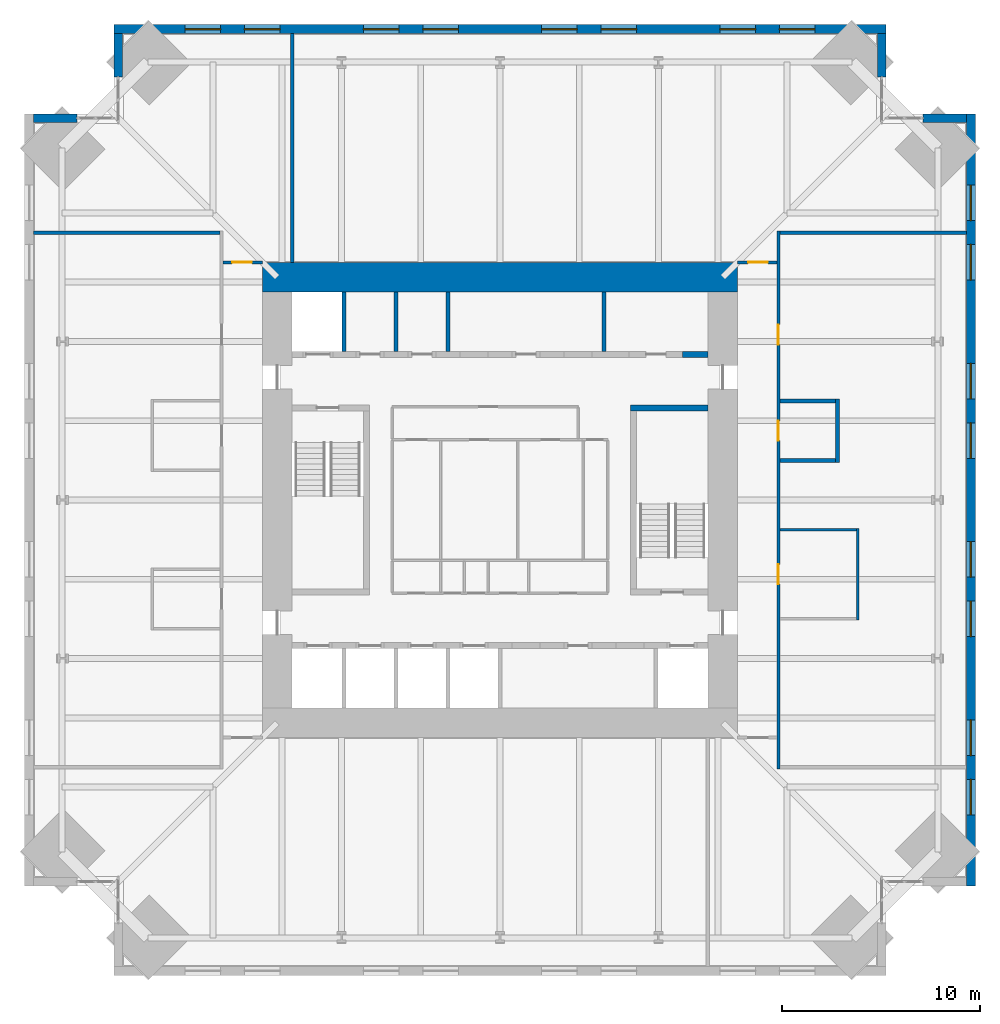
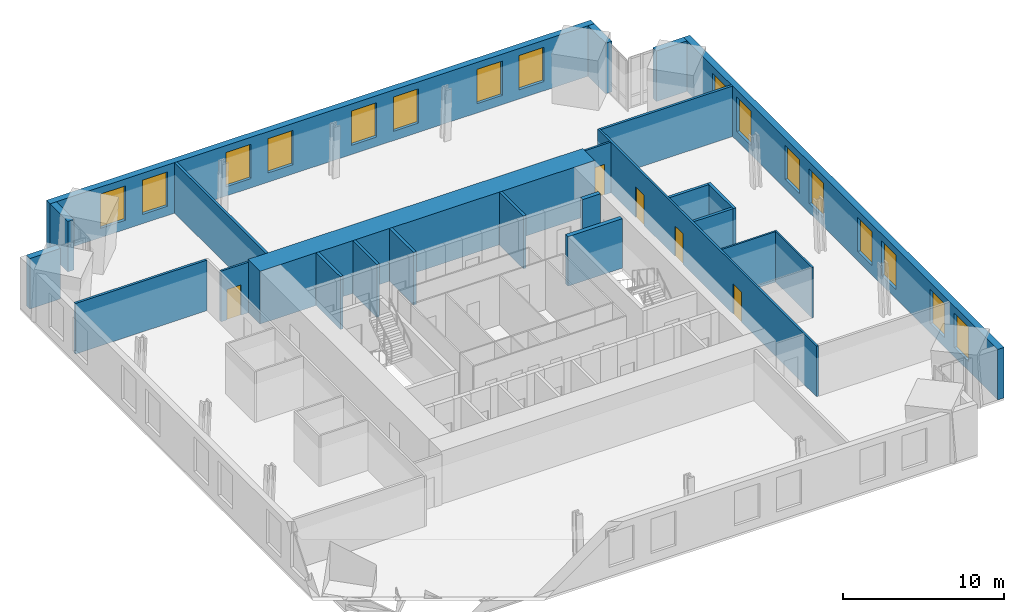
# One storey, part 13 of 15: 24 walls, 16 windows, 5 doors, 21 openings.
"""IFC4 building model written with IfcOpenShell, lengths in metres."""

from ifc_helpers import new_model, si_unit, direction, frame, frame_2d, origin, place, context, subcontext, project, spatial, rectangle, extrude, material, layer, layer_set, type_object, element, fill, save


model = new_model("IFC4")

# Units and contexts
model_context = context("Model", 3, precision=1e-05, world=origin(), true_north=direction((0.0, 1.0)))
body_context = subcontext(model_context, "Body", "Model", "MODEL_VIEW")
ifc_project = project(units=[si_unit("LENGTHUNIT", "METRE"), si_unit("AREAUNIT", "SQUARE_METRE"), si_unit("VOLUMEUNIT", "CUBIC_METRE"), si_unit("PLANEANGLEUNIT", "RADIAN"), si_unit("MASSUNIT", "GRAM", prefix="KILO")], contexts=[model_context])

# Site, building, storey
site_placement = place(None, origin())
site = spatial("IfcSite", under=ifc_project, at=site_placement, CompositionType="ELEMENT")
building_placement = place(site_placement, origin())
building = spatial("IfcBuilding", under=site, at=building_placement, Name="Peilmerk Tower", CompositionType="ELEMENT")
storey_placement = place(building_placement, frame((0.0, 0.0, 217.800048828125)))
storey = spatial("IfcBuildingStorey", under=building, at=storey_placement, Name="L47", CompositionType="ELEMENT", Elevation=217.800048828125)

# Wall, openings, windows
ifc_material_1 = material(Name="Precast concrete C45/55, board-marked finish", Category="concrete")
ifc_layer_1 = layer(ifc_material_1, 0.449951171875)
ifc_layer_set_1 = layer_set([ifc_layer_1], Name="Precast concrete C45/55, board-marked finish")
wall_type_1 = type_object("IfcWallType", Name="EW1 450 precast concrete facade wall, board-marked", PredefinedType="SOLIDWALL", material=ifc_layer_set_1)
wall_1_placement = place(storey_placement, frame((19.5, 23.77490234375, 0.0), z_axis=(0.0, 0.0, 1.0), x_axis=(-1.0, 0.0, 0.0)))
wall_1 = element("IfcWall", 1, at=wall_1_placement, inside=storey, type_object=wall_type_1, Name="Facade wall N L47", PredefinedType="SOLIDWALL", context=body_context, shape_type="SweptSolid", body=[
    extrude(rectangle(XDim=39.0, YDim=0.449951171875, at=frame_2d((19.5, 0.0))), origin(), (0.0, 0.0, 1.0), 3.829833984375),
])
opening_1_placement = place(wall_1_placement, frame((3.60009765625, 0.0, 0.699951171875)))
opening_1 = element("IfcOpeningElement", 2, at=opening_1_placement, cuts=wall_1, Name="Opening W1", PredefinedType="OPENING", context=body_context, shape_type="SweptSolid", body=[
    extrude(rectangle(XDim=1.800048828125, YDim=2.60009765625, at=frame_2d((0.89990234375, 1.300048828125))), frame((0.0, 0.23486328125, 0.0), z_axis=(0.0, -1.0, 0.0), x_axis=(1.0, 0.0, 0.0)), (0.0, 0.0, 1.0), 0.469970703125),
])
opening_2_placement = place(wall_1_placement, frame((6.60009765625, 0.0, 0.699951171875)))
opening_2 = element("IfcOpeningElement", 3, at=opening_2_placement, cuts=wall_1, Name="Opening W1", PredefinedType="OPENING", context=body_context, shape_type="SweptSolid", body=[
    extrude(rectangle(XDim=1.800048828125, YDim=2.60009765625, at=frame_2d((0.89990234375, 1.300048828125))), frame((0.0, 0.23486328125, 0.0), z_axis=(0.0, -1.0, 0.0), x_axis=(1.0, 0.0, 0.0)), (0.0, 0.0, 1.0), 0.469970703125),
])
opening_3_placement = place(wall_1_placement, frame((12.60009765625, 0.0, 0.699951171875)))
opening_3 = element("IfcOpeningElement", 4, at=opening_3_placement, cuts=wall_1, Name="Opening W1", PredefinedType="OPENING", context=body_context, shape_type="SweptSolid", body=[
    extrude(rectangle(XDim=1.800048828125, YDim=2.60009765625, at=frame_2d((0.89990234375, 1.300048828125))), frame((0.0, 0.23486328125, 0.0), z_axis=(0.0, -1.0, 0.0), x_axis=(1.0, 0.0, 0.0)), (0.0, 0.0, 1.0), 0.469970703125),
])
opening_4_placement = place(wall_1_placement, frame((15.60009765625, 0.0, 0.699951171875)))
opening_4 = element("IfcOpeningElement", 5, at=opening_4_placement, cuts=wall_1, Name="Opening W1", PredefinedType="OPENING", context=body_context, shape_type="SweptSolid", body=[
    extrude(rectangle(XDim=1.800048828125, YDim=2.60009765625, at=frame_2d((0.89990234375, 1.300048828125))), frame((0.0, 0.23486328125, 0.0), z_axis=(0.0, -1.0, 0.0), x_axis=(1.0, 0.0, 0.0)), (0.0, 0.0, 1.0), 0.469970703125),
])
opening_5_placement = place(wall_1_placement, frame((21.60009765625, 0.0, 0.699951171875)))
opening_5 = element("IfcOpeningElement", 6, at=opening_5_placement, cuts=wall_1, Name="Opening W1", PredefinedType="OPENING", context=body_context, shape_type="SweptSolid", body=[
    extrude(rectangle(XDim=1.800048828125, YDim=2.60009765625, at=frame_2d((0.89990234375, 1.300048828125))), frame((0.0, 0.23486328125, 0.0), z_axis=(0.0, -1.0, 0.0), x_axis=(1.0, 0.0, 0.0)), (0.0, 0.0, 1.0), 0.469970703125),
])
opening_6_placement = place(wall_1_placement, frame((24.60009765625, 0.0, 0.699951171875)))
opening_6 = element("IfcOpeningElement", 7, at=opening_6_placement, cuts=wall_1, Name="Opening W1", PredefinedType="OPENING", context=body_context, shape_type="SweptSolid", body=[
    extrude(rectangle(XDim=1.800048828125, YDim=2.60009765625, at=frame_2d((0.89990234375, 1.300048828125))), frame((0.0, 0.23486328125, 0.0), z_axis=(0.0, -1.0, 0.0), x_axis=(1.0, 0.0, 0.0)), (0.0, 0.0, 1.0), 0.469970703125),
])
opening_7_placement = place(wall_1_placement, frame((30.60009765625, 0.0, 0.699951171875)))
opening_7 = element("IfcOpeningElement", 8, at=opening_7_placement, cuts=wall_1, Name="Opening W1", PredefinedType="OPENING", context=body_context, shape_type="SweptSolid", body=[
    extrude(rectangle(XDim=1.800048828125, YDim=2.60009765625, at=frame_2d((0.89990234375, 1.300048828125))), frame((0.0, 0.23486328125, 0.0), z_axis=(0.0, -1.0, 0.0), x_axis=(1.0, 0.0, 0.0)), (0.0, 0.0, 1.0), 0.469970703125),
])
opening_8_placement = place(wall_1_placement, frame((33.60009765625, 0.0, 0.699951171875)))
opening_8 = element("IfcOpeningElement", 9, at=opening_8_placement, cuts=wall_1, Name="Opening W1", PredefinedType="OPENING", context=body_context, shape_type="SweptSolid", body=[
    extrude(rectangle(XDim=1.800048828125, YDim=2.60009765625, at=frame_2d((0.89990234375, 1.300048828125))), frame((0.0, 0.23486328125, 0.0), z_axis=(0.0, -1.0, 0.0), x_axis=(1.0, 0.0, 0.0)), (0.0, 0.0, 1.0), 0.469970703125),
])
ifc_material_2 = material(Name="Aluminium frame, clear double glazing", Category="aluminium")
window_type = type_object("IfcWindowType", Name="W1 1800x2600 office window", PartitioningType="SINGLE_PANEL", PredefinedType="WINDOW", material=ifc_material_2)
window_1_placement = place(opening_1_placement, origin())
window_1 = element("IfcWindow", 10, at=window_1_placement, inside=storey, type_object=window_type, Name="Window W1 L47", OverallHeight=2.60009765625, OverallWidth=1.800048828125, PartitioningType="SINGLE_PANEL", PredefinedType="WINDOW", context=body_context, shape_type="SweptSolid", body=[
    extrude(rectangle(XDim=1.800048828125, YDim=2.60009765625, at=frame_2d((0.89990234375, 1.300048828125))), frame((0.0, 0.030029296875, 0.0), z_axis=(0.0, -1.0, 0.0), x_axis=(1.0, 0.0, 0.0)), (0.0, 0.0, 1.0), 0.06005859375),
])
fill(opening_1, window_1)
window_2_placement = place(opening_2_placement, origin())
window_2 = element("IfcWindow", 11, at=window_2_placement, inside=storey, type_object=window_type, Name="Window W1 L47", OverallHeight=2.60009765625, OverallWidth=1.800048828125, PartitioningType="SINGLE_PANEL", PredefinedType="WINDOW", context=body_context, shape_type="SweptSolid", body=[
    extrude(rectangle(XDim=1.800048828125, YDim=2.60009765625, at=frame_2d((0.89990234375, 1.300048828125))), frame((0.0, 0.030029296875, 0.0), z_axis=(0.0, -1.0, 0.0), x_axis=(1.0, 0.0, 0.0)), (0.0, 0.0, 1.0), 0.06005859375),
])
fill(opening_2, window_2)
window_3_placement = place(opening_3_placement, origin())
window_3 = element("IfcWindow", 12, at=window_3_placement, inside=storey, type_object=window_type, Name="Window W1 L47", OverallHeight=2.60009765625, OverallWidth=1.800048828125, PartitioningType="SINGLE_PANEL", PredefinedType="WINDOW", context=body_context, shape_type="SweptSolid", body=[
    extrude(rectangle(XDim=1.800048828125, YDim=2.60009765625, at=frame_2d((0.89990234375, 1.300048828125))), frame((0.0, 0.030029296875, 0.0), z_axis=(0.0, -1.0, 0.0), x_axis=(1.0, 0.0, 0.0)), (0.0, 0.0, 1.0), 0.06005859375),
])
fill(opening_3, window_3)
window_4_placement = place(opening_4_placement, origin())
window_4 = element("IfcWindow", 13, at=window_4_placement, inside=storey, type_object=window_type, Name="Window W1 L47", OverallHeight=2.60009765625, OverallWidth=1.800048828125, PartitioningType="SINGLE_PANEL", PredefinedType="WINDOW", context=body_context, shape_type="SweptSolid", body=[
    extrude(rectangle(XDim=1.800048828125, YDim=2.60009765625, at=frame_2d((0.89990234375, 1.300048828125))), frame((0.0, 0.030029296875, 0.0), z_axis=(0.0, -1.0, 0.0), x_axis=(1.0, 0.0, 0.0)), (0.0, 0.0, 1.0), 0.06005859375),
])
fill(opening_4, window_4)
window_5_placement = place(opening_5_placement, origin())
window_5 = element("IfcWindow", 14, at=window_5_placement, inside=storey, type_object=window_type, Name="Window W1 L47", OverallHeight=2.60009765625, OverallWidth=1.800048828125, PartitioningType="SINGLE_PANEL", PredefinedType="WINDOW", context=body_context, shape_type="SweptSolid", body=[
    extrude(rectangle(XDim=1.800048828125, YDim=2.60009765625, at=frame_2d((0.89990234375, 1.300048828125))), frame((0.0, 0.030029296875, 0.0), z_axis=(0.0, -1.0, 0.0), x_axis=(1.0, 0.0, 0.0)), (0.0, 0.0, 1.0), 0.06005859375),
])
fill(opening_5, window_5)
window_6_placement = place(opening_6_placement, origin())
window_6 = element("IfcWindow", 15, at=window_6_placement, inside=storey, type_object=window_type, Name="Window W1 L47", OverallHeight=2.60009765625, OverallWidth=1.800048828125, PartitioningType="SINGLE_PANEL", PredefinedType="WINDOW", context=body_context, shape_type="SweptSolid", body=[
    extrude(rectangle(XDim=1.800048828125, YDim=2.60009765625, at=frame_2d((0.89990234375, 1.300048828125))), frame((0.0, 0.030029296875, 0.0), z_axis=(0.0, -1.0, 0.0), x_axis=(1.0, 0.0, 0.0)), (0.0, 0.0, 1.0), 0.06005859375),
])
fill(opening_6, window_6)
window_7_placement = place(opening_7_placement, origin())
window_7 = element("IfcWindow", 16, at=window_7_placement, inside=storey, type_object=window_type, Name="Window W1 L47", OverallHeight=2.60009765625, OverallWidth=1.800048828125, PartitioningType="SINGLE_PANEL", PredefinedType="WINDOW", context=body_context, shape_type="SweptSolid", body=[
    extrude(rectangle(XDim=1.800048828125, YDim=2.60009765625, at=frame_2d((0.89990234375, 1.300048828125))), frame((0.0, 0.030029296875, 0.0), z_axis=(0.0, -1.0, 0.0), x_axis=(1.0, 0.0, 0.0)), (0.0, 0.0, 1.0), 0.06005859375),
])
fill(opening_7, window_7)
window_8_placement = place(opening_8_placement, origin())
window_8 = element("IfcWindow", 17, at=window_8_placement, inside=storey, type_object=window_type, Name="Window W1 L47", OverallHeight=2.60009765625, OverallWidth=1.800048828125, PartitioningType="SINGLE_PANEL", PredefinedType="WINDOW", context=body_context, shape_type="SweptSolid", body=[
    extrude(rectangle(XDim=1.800048828125, YDim=2.60009765625, at=frame_2d((0.89990234375, 1.300048828125))), frame((0.0, 0.030029296875, 0.0), z_axis=(0.0, -1.0, 0.0), x_axis=(1.0, 0.0, 0.0)), (0.0, 0.0, 1.0), 0.06005859375),
])
fill(opening_8, window_8)

wall_2_placement = place(storey_placement, frame((23.77490234375, -19.5, 0.0), z_axis=(0.0, 0.0, 1.0), x_axis=(0.0, 1.0, 0.0)))
wall_2 = element("IfcWall", 18, at=wall_2_placement, inside=storey, type_object=wall_type_1, Name="Facade wall E L47", PredefinedType="SOLIDWALL", context=body_context, shape_type="SweptSolid", body=[
    extrude(rectangle(XDim=39.0, YDim=0.449951171875, at=frame_2d((19.5, 0.0))), origin(), (0.0, 0.0, 1.0), 3.829833984375),
])
opening_9_placement = place(wall_2_placement, frame((3.60009765625, 0.0, 0.699951171875)))
opening_9 = element("IfcOpeningElement", 19, at=opening_9_placement, cuts=wall_2, Name="Opening W1", PredefinedType="OPENING", context=body_context, shape_type="SweptSolid", body=[
    extrude(rectangle(XDim=1.800048828125, YDim=2.60009765625, at=frame_2d((0.89990234375, 1.300048828125))), frame((0.0, 0.23486328125, 0.0), z_axis=(0.0, -1.0, 0.0), x_axis=(1.0, 0.0, 0.0)), (0.0, 0.0, 1.0), 0.469970703125),
])
opening_10_placement = place(wall_2_placement, frame((6.60009765625, 0.0, 0.699951171875)))
opening_10 = element("IfcOpeningElement", 20, at=opening_10_placement, cuts=wall_2, Name="Opening W1", PredefinedType="OPENING", context=body_context, shape_type="SweptSolid", body=[
    extrude(rectangle(XDim=1.800048828125, YDim=2.60009765625, at=frame_2d((0.89990234375, 1.300048828125))), frame((0.0, 0.23486328125, 0.0), z_axis=(0.0, -1.0, 0.0), x_axis=(1.0, 0.0, 0.0)), (0.0, 0.0, 1.0), 0.469970703125),
])
opening_11_placement = place(wall_2_placement, frame((12.60009765625, 0.0, 0.699951171875)))
opening_11 = element("IfcOpeningElement", 21, at=opening_11_placement, cuts=wall_2, Name="Opening W1", PredefinedType="OPENING", context=body_context, shape_type="SweptSolid", body=[
    extrude(rectangle(XDim=1.800048828125, YDim=2.60009765625, at=frame_2d((0.89990234375, 1.300048828125))), frame((0.0, 0.23486328125, 0.0), z_axis=(0.0, -1.0, 0.0), x_axis=(1.0, 0.0, 0.0)), (0.0, 0.0, 1.0), 0.469970703125),
])
opening_12_placement = place(wall_2_placement, frame((15.60009765625, 0.0, 0.699951171875)))
opening_12 = element("IfcOpeningElement", 22, at=opening_12_placement, cuts=wall_2, Name="Opening W1", PredefinedType="OPENING", context=body_context, shape_type="SweptSolid", body=[
    extrude(rectangle(XDim=1.800048828125, YDim=2.60009765625, at=frame_2d((0.89990234375, 1.300048828125))), frame((0.0, 0.23486328125, 0.0), z_axis=(0.0, -1.0, 0.0), x_axis=(1.0, 0.0, 0.0)), (0.0, 0.0, 1.0), 0.469970703125),
])
opening_13_placement = place(wall_2_placement, frame((21.60009765625, 0.0, 0.699951171875)))
opening_13 = element("IfcOpeningElement", 23, at=opening_13_placement, cuts=wall_2, Name="Opening W1", PredefinedType="OPENING", context=body_context, shape_type="SweptSolid", body=[
    extrude(rectangle(XDim=1.800048828125, YDim=2.60009765625, at=frame_2d((0.89990234375, 1.300048828125))), frame((0.0, 0.23486328125, 0.0), z_axis=(0.0, -1.0, 0.0), x_axis=(1.0, 0.0, 0.0)), (0.0, 0.0, 1.0), 0.469970703125),
])
opening_14_placement = place(wall_2_placement, frame((24.60009765625, 0.0, 0.699951171875)))
opening_14 = element("IfcOpeningElement", 24, at=opening_14_placement, cuts=wall_2, Name="Opening W1", PredefinedType="OPENING", context=body_context, shape_type="SweptSolid", body=[
    extrude(rectangle(XDim=1.800048828125, YDim=2.60009765625, at=frame_2d((0.89990234375, 1.300048828125))), frame((0.0, 0.23486328125, 0.0), z_axis=(0.0, -1.0, 0.0), x_axis=(1.0, 0.0, 0.0)), (0.0, 0.0, 1.0), 0.469970703125),
])
opening_15_placement = place(wall_2_placement, frame((30.60009765625, 0.0, 0.699951171875)))
opening_15 = element("IfcOpeningElement", 25, at=opening_15_placement, cuts=wall_2, Name="Opening W1", PredefinedType="OPENING", context=body_context, shape_type="SweptSolid", body=[
    extrude(rectangle(XDim=1.800048828125, YDim=2.60009765625, at=frame_2d((0.89990234375, 1.300048828125))), frame((0.0, 0.23486328125, 0.0), z_axis=(0.0, -1.0, 0.0), x_axis=(1.0, 0.0, 0.0)), (0.0, 0.0, 1.0), 0.469970703125),
])
opening_16_placement = place(wall_2_placement, frame((33.60009765625, 0.0, 0.699951171875)))
opening_16 = element("IfcOpeningElement", 26, at=opening_16_placement, cuts=wall_2, Name="Opening W1", PredefinedType="OPENING", context=body_context, shape_type="SweptSolid", body=[
    extrude(rectangle(XDim=1.800048828125, YDim=2.60009765625, at=frame_2d((0.89990234375, 1.300048828125))), frame((0.0, 0.23486328125, 0.0), z_axis=(0.0, -1.0, 0.0), x_axis=(1.0, 0.0, 0.0)), (0.0, 0.0, 1.0), 0.469970703125),
])
window_9_placement = place(opening_9_placement, origin())
window_9 = element("IfcWindow", 27, at=window_9_placement, inside=storey, type_object=window_type, Name="Window W1 L47", OverallHeight=2.60009765625, OverallWidth=1.800048828125, PartitioningType="SINGLE_PANEL", PredefinedType="WINDOW", context=body_context, shape_type="SweptSolid", body=[
    extrude(rectangle(XDim=1.800048828125, YDim=2.60009765625, at=frame_2d((0.89990234375, 1.300048828125))), frame((0.0, 0.030029296875, 0.0), z_axis=(0.0, -1.0, 0.0), x_axis=(1.0, 0.0, 0.0)), (0.0, 0.0, 1.0), 0.06005859375),
])
fill(opening_9, window_9)
window_10_placement = place(opening_10_placement, origin())
window_10 = element("IfcWindow", 28, at=window_10_placement, inside=storey, type_object=window_type, Name="Window W1 L47", OverallHeight=2.60009765625, OverallWidth=1.800048828125, PartitioningType="SINGLE_PANEL", PredefinedType="WINDOW", context=body_context, shape_type="SweptSolid", body=[
    extrude(rectangle(XDim=1.800048828125, YDim=2.60009765625, at=frame_2d((0.89990234375, 1.300048828125))), frame((0.0, 0.030029296875, 0.0), z_axis=(0.0, -1.0, 0.0), x_axis=(1.0, 0.0, 0.0)), (0.0, 0.0, 1.0), 0.06005859375),
])
fill(opening_10, window_10)
window_11_placement = place(opening_11_placement, origin())
window_11 = element("IfcWindow", 29, at=window_11_placement, inside=storey, type_object=window_type, Name="Window W1 L47", OverallHeight=2.60009765625, OverallWidth=1.800048828125, PartitioningType="SINGLE_PANEL", PredefinedType="WINDOW", context=body_context, shape_type="SweptSolid", body=[
    extrude(rectangle(XDim=1.800048828125, YDim=2.60009765625, at=frame_2d((0.89990234375, 1.300048828125))), frame((0.0, 0.030029296875, 0.0), z_axis=(0.0, -1.0, 0.0), x_axis=(1.0, 0.0, 0.0)), (0.0, 0.0, 1.0), 0.06005859375),
])
fill(opening_11, window_11)
window_12_placement = place(opening_12_placement, origin())
window_12 = element("IfcWindow", 30, at=window_12_placement, inside=storey, type_object=window_type, Name="Window W1 L47", OverallHeight=2.60009765625, OverallWidth=1.800048828125, PartitioningType="SINGLE_PANEL", PredefinedType="WINDOW", context=body_context, shape_type="SweptSolid", body=[
    extrude(rectangle(XDim=1.800048828125, YDim=2.60009765625, at=frame_2d((0.89990234375, 1.300048828125))), frame((0.0, 0.030029296875, 0.0), z_axis=(0.0, -1.0, 0.0), x_axis=(1.0, 0.0, 0.0)), (0.0, 0.0, 1.0), 0.06005859375),
])
fill(opening_12, window_12)
window_13_placement = place(opening_13_placement, origin())
window_13 = element("IfcWindow", 31, at=window_13_placement, inside=storey, type_object=window_type, Name="Window W1 L47", OverallHeight=2.60009765625, OverallWidth=1.800048828125, PartitioningType="SINGLE_PANEL", PredefinedType="WINDOW", context=body_context, shape_type="SweptSolid", body=[
    extrude(rectangle(XDim=1.800048828125, YDim=2.60009765625, at=frame_2d((0.89990234375, 1.300048828125))), frame((0.0, 0.030029296875, 0.0), z_axis=(0.0, -1.0, 0.0), x_axis=(1.0, 0.0, 0.0)), (0.0, 0.0, 1.0), 0.06005859375),
])
fill(opening_13, window_13)
window_14_placement = place(opening_14_placement, origin())
window_14 = element("IfcWindow", 32, at=window_14_placement, inside=storey, type_object=window_type, Name="Window W1 L47", OverallHeight=2.60009765625, OverallWidth=1.800048828125, PartitioningType="SINGLE_PANEL", PredefinedType="WINDOW", context=body_context, shape_type="SweptSolid", body=[
    extrude(rectangle(XDim=1.800048828125, YDim=2.60009765625, at=frame_2d((0.89990234375, 1.300048828125))), frame((0.0, 0.030029296875, 0.0), z_axis=(0.0, -1.0, 0.0), x_axis=(1.0, 0.0, 0.0)), (0.0, 0.0, 1.0), 0.06005859375),
])
fill(opening_14, window_14)
window_15_placement = place(opening_15_placement, origin())
window_15 = element("IfcWindow", 33, at=window_15_placement, inside=storey, type_object=window_type, Name="Window W1 L47", OverallHeight=2.60009765625, OverallWidth=1.800048828125, PartitioningType="SINGLE_PANEL", PredefinedType="WINDOW", context=body_context, shape_type="SweptSolid", body=[
    extrude(rectangle(XDim=1.800048828125, YDim=2.60009765625, at=frame_2d((0.89990234375, 1.300048828125))), frame((0.0, 0.030029296875, 0.0), z_axis=(0.0, -1.0, 0.0), x_axis=(1.0, 0.0, 0.0)), (0.0, 0.0, 1.0), 0.06005859375),
])
fill(opening_15, window_15)
window_16_placement = place(opening_16_placement, origin())
window_16 = element("IfcWindow", 34, at=window_16_placement, inside=storey, type_object=window_type, Name="Window W1 L47", OverallHeight=2.60009765625, OverallWidth=1.800048828125, PartitioningType="SINGLE_PANEL", PredefinedType="WINDOW", context=body_context, shape_type="SweptSolid", body=[
    extrude(rectangle(XDim=1.800048828125, YDim=2.60009765625, at=frame_2d((0.89990234375, 1.300048828125))), frame((0.0, 0.030029296875, 0.0), z_axis=(0.0, -1.0, 0.0), x_axis=(1.0, 0.0, 0.0)), (0.0, 0.0, 1.0), 0.06005859375),
])
fill(opening_16, window_16)

# Walls
for number, where, z_axis, x_axis, name in (
    (35, (19.27490234375, 21.353759765625, 0.0), (0.0, 0.0, 1.0), (0.0, 1.0, 0.0), "Facade wall NEA L47"),
    (36, (21.353759765625, 19.27490234375, 0.0), (0.0, 0.0, 1.0), (1.0, 0.0, 0.0), "Facade wall NEB L47"),
    (37, (-19.27490234375, 21.353759765625, 0.0), (0.0, 0.0, 1.0), (0.0, 1.0, 0.0), "Facade wall NWA L47"),
    (38, (-21.353759765625, 19.27490234375, 0.0), (0.0, 0.0, 1.0), (-1.0, 0.0, 0.0), "Facade wall NWB L47"),
):
    element("IfcWall", number, at=place(storey_placement, frame(where, z_axis=z_axis, x_axis=x_axis)), inside=storey, type_object=wall_type_1, Name=name, PredefinedType="SOLIDWALL", context=body_context, shape_type="SweptSolid", body=[
        extrude(rectangle(XDim=2.1962890625, YDim=0.449951171875, at=frame_2d((1.09814453125, 0.0))), origin(), (0.0, 0.0, 1.0), 3.829833984375),
    ])

# Wall, openings, doors
ifc_material_3 = material(Name="Calcium silicate block", Category="masonry")
ifc_layer_2 = layer(ifc_material_3, 0.14990234375)
ifc_layer_set_2 = layer_set([ifc_layer_2], Name="Calcium silicate block")
wall_type_2 = type_object("IfcWallType", Name="IW1 150 corridor partition, EI 60", PredefinedType="PARTITIONING", material=ifc_layer_set_2)
wall_3_placement = place(storey_placement, frame((14.050048828125, -13.574951171875, 0.0), z_axis=(0.0, 0.0, 1.0), x_axis=(0.0, 1.0, 0.0)))
wall_3 = element("IfcWall", 39, at=wall_3_placement, inside=storey, type_object=wall_type_2, Name="Corridor wall E L47", PredefinedType="PARTITIONING", context=body_context, shape_type="SweptSolid", body=[
    extrude(rectangle(XDim=27.14990234375, YDim=0.14990234375, at=frame_2d((13.574951171875, 0.0))), origin(), (0.0, 0.0, 1.0), 3.829833984375),
])
opening_17_placement = place(wall_3_placement, frame((21.425048828125, 0.0, 0.0)))
opening_17 = element("IfcOpeningElement", 40, at=opening_17_placement, cuts=wall_3, Name="Opening D1", PredefinedType="OPENING", context=body_context, shape_type="SweptSolid", body=[
    extrude(rectangle(XDim=1.0, YDim=2.300048828125, at=frame_2d((0.5, 1.14990234375))), frame((0.0, 0.0849609375, 0.0), z_axis=(0.0, -1.0, 0.0), x_axis=(1.0, 0.0, 0.0)), (0.0, 0.0, 1.0), 0.169921875),
])
opening_18_placement = place(wall_3_placement, frame((9.324951171875, 0.0, 0.0)))
opening_18 = element("IfcOpeningElement", 41, at=opening_18_placement, cuts=wall_3, Name="Opening D1", PredefinedType="OPENING", context=body_context, shape_type="SweptSolid", body=[
    extrude(rectangle(XDim=1.0, YDim=2.300048828125, at=frame_2d((0.5, 1.14990234375))), frame((0.0, 0.0849609375, 0.0), z_axis=(0.0, -1.0, 0.0), x_axis=(1.0, 0.0, 0.0)), (0.0, 0.0, 1.0), 0.169921875),
])
opening_19_placement = place(wall_3_placement, frame((16.574951171875, 0.0, 0.0)))
opening_19 = element("IfcOpeningElement", 42, at=opening_19_placement, cuts=wall_3, Name="Opening D1", PredefinedType="OPENING", context=body_context, shape_type="SweptSolid", body=[
    extrude(rectangle(XDim=1.0, YDim=2.300048828125, at=frame_2d((0.5, 1.14990234375))), frame((0.0, 0.0849609375, 0.0), z_axis=(0.0, -1.0, 0.0), x_axis=(1.0, 0.0, 0.0)), (0.0, 0.0, 1.0), 0.169921875),
])
ifc_material_4 = material(Name="Timber door in steel frame", Category="steel")
door_type = type_object("IfcDoorType", Name="D1 1000x2300 room door, EI2 30", OperationType="SINGLE_SWING_LEFT", PredefinedType="DOOR", material=ifc_material_4)
door_1_placement = place(opening_17_placement, frame((1.0, 0.0, 0.0), z_axis=(0.0, 0.0, 1.0), x_axis=(-1.0, 0.0, 0.0)))
door_1 = element("IfcDoor", 43, at=door_1_placement, inside=storey, type_object=door_type, Name="Door Office L47", OperationType="SINGLE_SWING_LEFT", OverallHeight=2.300048828125, OverallWidth=1.0, PredefinedType="DOOR", context=body_context, shape_type="SweptSolid", body=[
    extrude(rectangle(XDim=1.0, YDim=2.300048828125, at=frame_2d((0.5, 1.14990234375))), frame((0.0, 0.02490234375, 0.0), z_axis=(0.0, -1.0, 0.0), x_axis=(1.0, 0.0, 0.0)), (0.0, 0.0, 1.0), 0.050048828125),
])
fill(opening_17, door_1)
door_2_placement = place(opening_18_placement, frame((1.0, 0.0, 0.0), z_axis=(0.0, 0.0, 1.0), x_axis=(-1.0, 0.0, 0.0)))
door_2 = element("IfcDoor", 44, at=door_2_placement, inside=storey, type_object=door_type, Name="Door Meeting room L47", OperationType="SINGLE_SWING_LEFT", OverallHeight=2.300048828125, OverallWidth=1.0, PredefinedType="DOOR", context=body_context, shape_type="SweptSolid", body=[
    extrude(rectangle(XDim=1.0, YDim=2.300048828125, at=frame_2d((0.5, 1.14990234375))), frame((0.0, 0.02490234375, 0.0), z_axis=(0.0, -1.0, 0.0), x_axis=(1.0, 0.0, 0.0)), (0.0, 0.0, 1.0), 0.050048828125),
])
fill(opening_18, door_2)
door_3_placement = place(opening_19_placement, frame((1.0, 0.0, 0.0), z_axis=(0.0, 0.0, 1.0), x_axis=(-1.0, 0.0, 0.0)))
door_3 = element("IfcDoor", 45, at=door_3_placement, inside=storey, type_object=door_type, Name="Door Print room L47", OperationType="SINGLE_SWING_LEFT", OverallHeight=2.300048828125, OverallWidth=1.0, PredefinedType="DOOR", context=body_context, shape_type="SweptSolid", body=[
    extrude(rectangle(XDim=1.0, YDim=2.300048828125, at=frame_2d((0.5, 1.14990234375))), frame((0.0, 0.02490234375, 0.0), z_axis=(0.0, -1.0, 0.0), x_axis=(1.0, 0.0, 0.0)), (0.0, 0.0, 1.0), 0.050048828125),
])
fill(opening_19, door_3)

# Wall, opening, door
wall_4_placement = place(storey_placement, frame((12.0, 12.0, 0.0), z_axis=(0.0, 0.0, 1.0), x_axis=(1.0, 0.0, 0.0)))
wall_4 = element("IfcWall", 46, at=wall_4_placement, inside=storey, type_object=wall_type_2, Name="Corridor wall NE L47", PredefinedType="PARTITIONING", context=body_context, shape_type="SweptSolid", body=[
    extrude(rectangle(XDim=1.97509765625, YDim=0.14990234375, at=frame_2d((0.987548828125, 0.0))), origin(), (0.0, 0.0, 1.0), 3.829833984375),
])
opening_20_placement = place(wall_4_placement, frame((0.52490234375, 0.0, 0.0)))
opening_20 = element("IfcOpeningElement", 47, at=opening_20_placement, cuts=wall_4, Name="Opening D1", PredefinedType="OPENING", context=body_context, shape_type="SweptSolid", body=[
    extrude(rectangle(XDim=1.0, YDim=2.300048828125, at=frame_2d((0.5, 1.14990234375))), frame((0.0, 0.0849609375, 0.0), z_axis=(0.0, -1.0, 0.0), x_axis=(1.0, 0.0, 0.0)), (0.0, 0.0, 1.0), 0.169921875),
])
door_4_placement = place(opening_20_placement, origin())
door_4 = element("IfcDoor", 48, at=door_4_placement, inside=storey, type_object=door_type, Name="Door Tenant suite L47", OperationType="SINGLE_SWING_LEFT", OverallHeight=2.300048828125, OverallWidth=1.0, PredefinedType="DOOR", context=body_context, shape_type="SweptSolid", body=[
    extrude(rectangle(XDim=1.0, YDim=2.300048828125, at=frame_2d((0.5, 1.14990234375))), frame((0.0, 0.02490234375, 0.0), z_axis=(0.0, -1.0, 0.0), x_axis=(1.0, 0.0, 0.0)), (0.0, 0.0, 1.0), 0.050048828125),
])
fill(opening_20, door_4)

wall_5_placement = place(storey_placement, frame((-13.97509765625, 12.0, 0.0), z_axis=(0.0, 0.0, 1.0), x_axis=(1.0, 0.0, 0.0)))
wall_5 = element("IfcWall", 49, at=wall_5_placement, inside=storey, type_object=wall_type_2, Name="Corridor wall NW L47", PredefinedType="PARTITIONING", context=body_context, shape_type="SweptSolid", body=[
    extrude(rectangle(XDim=1.97509765625, YDim=0.14990234375, at=frame_2d((0.987548828125, 0.0))), origin(), (0.0, 0.0, 1.0), 3.829833984375),
])
opening_21_placement = place(wall_5_placement, frame((0.449951171875, 0.0, 0.0)))
opening_21 = element("IfcOpeningElement", 50, at=opening_21_placement, cuts=wall_5, Name="Opening D1", PredefinedType="OPENING", context=body_context, shape_type="SweptSolid", body=[
    extrude(rectangle(XDim=1.0, YDim=2.300048828125, at=frame_2d((0.5, 1.14990234375))), frame((0.0, 0.0849609375, 0.0), z_axis=(0.0, -1.0, 0.0), x_axis=(1.0, 0.0, 0.0)), (0.0, 0.0, 1.0), 0.169921875),
])
door_5_placement = place(opening_21_placement, origin())
door_5 = element("IfcDoor", 51, at=door_5_placement, inside=storey, type_object=door_type, Name="Door Tenant suite L47", OperationType="SINGLE_SWING_LEFT", OverallHeight=2.300048828125, OverallWidth=1.0, PredefinedType="DOOR", context=body_context, shape_type="SweptSolid", body=[
    extrude(rectangle(XDim=1.0, YDim=2.300048828125, at=frame_2d((0.5, 1.14990234375))), frame((0.0, 0.02490234375, 0.0), z_axis=(0.0, -1.0, 0.0), x_axis=(1.0, 0.0, 0.0)), (0.0, 0.0, 1.0), 0.050048828125),
])
fill(opening_21, door_5)

# Walls
ifc_layer_3 = layer(ifc_material_3, 0.199951171875)
ifc_layer_set_3 = layer_set([ifc_layer_3], Name="Calcium silicate block")
wall_type_3 = type_object("IfcWallType", Name="IW2 200 room separating wall, EI 120", PredefinedType="PARTITIONING", material=ifc_layer_set_3)
wall_6_placement = place(storey_placement, frame((17.050048828125, 1.89990234375, 0.0), z_axis=(0.0, 0.0, 1.0), x_axis=(0.0, 1.0, 0.0)))
element("IfcWall", 52, at=wall_6_placement, inside=storey, type_object=wall_type_3, Name="Room separating wall Print room L47", PredefinedType="PARTITIONING", context=body_context, shape_type="SweptSolid", body=[
    extrude(rectangle(XDim=3.2001953125, YDim=0.199951171875, at=frame_2d((1.60009765625, 0.0))), origin(), (0.0, 0.0, 1.0), 3.829833984375),
])
for number, where, z_axis, x_axis, name in (
    (53, (14.125, 2.0, 0.0), (0.0, 0.0, 1.0), (1.0, 0.0, 0.0), "Room separating wall Print room L47"),
    (54, (14.125, 5.0, 0.0), (0.0, 0.0, 1.0), (1.0, 0.0, 0.0), "Room separating wall Print room L47"),
):
    element("IfcWall", number, at=place(storey_placement, frame(where, z_axis=z_axis, x_axis=x_axis)), inside=storey, type_object=wall_type_3, Name=name, PredefinedType="PARTITIONING", context=body_context, shape_type="SweptSolid", body=[
        extrude(rectangle(XDim=2.824951171875, YDim=0.199951171875, at=frame_2d((1.41259765625, 0.0))), origin(), (0.0, 0.0, 1.0), 3.829833984375),
    ])
ifc_material_5 = material(Name="Concrete C35/45", Category="concrete")
ifc_layer_4 = layer(ifc_material_5, 0.300048828125)
ifc_layer_set_4 = layer_set([ifc_layer_4], Name="Concrete C35/45")
wall_type_4 = type_object("IfcWallType", Name="IW3 300 concrete stair enclosure wall, EI 120", PredefinedType="SOLIDWALL", material=ifc_layer_set_4)
wall_7_placement = place(storey_placement, frame((6.60009765625, 4.64990234375, 0.0), z_axis=(0.0, 0.0, 1.0), x_axis=(1.0, 0.0, 0.0)))
element("IfcWall", 55, at=wall_7_placement, inside=storey, type_object=wall_type_4, Name="Stair 2 enclosure L47", PredefinedType="SOLIDWALL", context=body_context, shape_type="SweptSolid", body=[
    extrude(rectangle(XDim=3.89990234375, YDim=0.300048828125, at=frame_2d((1.949951171875, 0.0))), origin(), (0.0, 0.0, 1.0), 3.75),
])
ifc_material_6 = material(Name="Plasterboard on steel studs, double boarded with mineral wool", Category="steel")
ifc_layer_5 = layer(ifc_material_6, 0.125)
ifc_layer_set_5 = layer_set([ifc_layer_5], Name="Plasterboard on steel studs, double boarded with mineral wool")
wall_type_5 = type_object("IfcWallType", Name="IW7 125 acoustic partition, EI 30", PredefinedType="PARTITIONING", material=ifc_layer_set_5)
wall_8_placement = place(storey_placement, frame((18.050048828125, -6.0625, 0.0), z_axis=(0.0, 0.0, 1.0), x_axis=(0.0, 1.0, 0.0)))
element("IfcWall", 56, at=wall_8_placement, inside=storey, type_object=wall_type_5, Name="Acoustic partition Meeting room L47", PredefinedType="PARTITIONING", context=body_context, shape_type="SweptSolid", body=[
    extrude(rectangle(XDim=4.625, YDim=0.125, at=frame_2d((2.3125, 0.0))), origin(), (0.0, 0.0, 1.0), 3.829833984375),
])
wall_9_placement = place(storey_placement, frame((14.125, -1.5, 0.0), z_axis=(0.0, 0.0, 1.0), x_axis=(1.0, 0.0, 0.0)))
element("IfcWall", 57, at=wall_9_placement, inside=storey, type_object=wall_type_5, Name="Acoustic partition Meeting room L47", PredefinedType="PARTITIONING", context=body_context, shape_type="SweptSolid", body=[
    extrude(rectangle(XDim=3.862548828125, YDim=0.125, at=frame_2d((1.93115234375, 0.0))), origin(), (0.0, 0.0, 1.0), 3.829833984375),
])
ifc_layer_6 = layer(ifc_material_3, 0.175048828125)
ifc_layer_set_6 = layer_set([ifc_layer_6], Name="Calcium silicate block")
wall_type_6 = type_object("IfcWallType", Name="IW8 175 tenant separating wall, EI 60", PredefinedType="PARTITIONING", material=ifc_layer_set_6)
for number, where, z_axis, x_axis, name in (
    (58, (14.125, 13.5, 0.0), (0.0, 0.0, 1.0), (1.0, 0.0, 0.0), "Tenant separating wall NE L47"),
    (59, (-23.550048828125, 13.5, 0.0), (0.0, 0.0, 1.0), (1.0, 0.0, 0.0), "Tenant separating wall NW L47"),
):
    element("IfcWall", number, at=place(storey_placement, frame(where, z_axis=z_axis, x_axis=x_axis)), inside=storey, type_object=wall_type_6, Name=name, PredefinedType="PARTITIONING", context=body_context, shape_type="SweptSolid", body=[
        extrude(rectangle(XDim=9.425048828125, YDim=0.175048828125, at=frame_2d((4.71240234375, 0.0))), origin(), (0.0, 0.0, 1.0), 3.829833984375),
    ])
wall_10_placement = place(storey_placement, frame((-10.5, 12.0, 0.0), z_axis=(0.0, 0.0, 1.0), x_axis=(0.0, 1.0, 0.0)))
element("IfcWall", 60, at=wall_10_placement, inside=storey, type_object=wall_type_6, Name="Tenant separating wall N1 L47", PredefinedType="PARTITIONING", context=body_context, shape_type="SweptSolid", body=[
    extrude(rectangle(XDim=11.550048828125, YDim=0.175048828125, at=frame_2d((5.77490234375, 0.0))), origin(), (0.0, 0.0, 1.0), 3.829833984375),
])
ifc_layer_7 = layer(ifc_material_3, 0.199951171875)
ifc_layer_set_7 = layer_set([ifc_layer_7], Name="Calcium silicate block")
wall_type_7 = type_object("IfcWallType", Name="SH1 200 shaft dividing wall, EI 120", PredefinedType="PARTITIONING", material=ifc_layer_set_7)
for number, where, z_axis, x_axis, name in (
    (61, (-7.875, 7.5, 0.0), (0.0, 0.0, 1.0), (0.0, 1.0, 0.0), "Shaft wall N FL1 L47"),
    (62, (-5.25, 7.5, 0.0), (0.0, 0.0, 1.0), (0.0, 1.0, 0.0), "Shaft wall N A1 L47"),
    (63, (-2.625, 7.5, 0.0), (0.0, 0.0, 1.0), (0.0, 1.0, 0.0), "Shaft wall N A2 L47"),
    (64, (5.25, 7.5, 0.0), (0.0, 0.0, 1.0), (0.0, 1.0, 0.0), "Shaft wall N S2 L47"),
):
    element("IfcWall", number, at=place(storey_placement, frame(where, z_axis=z_axis, x_axis=x_axis)), inside=storey, type_object=wall_type_7, Name=name, PredefinedType="PARTITIONING", context=body_context, shape_type="SweptSolid", body=[
        extrude(rectangle(XDim=3.0, YDim=0.199951171875, at=frame_2d((1.5, 0.0))), origin(), (0.0, 0.0, 1.0), 4.0),
    ])
ifc_material_7 = material(Name="Concrete C55/67", Category="concrete")
ifc_layer_8 = layer(ifc_material_7, 1.5)
ifc_layer_set_8 = layer_set([ifc_layer_8], Name="Concrete C55/67")
wall_type_8 = type_object("IfcWallType", Name="SW1 1500 core wall", PredefinedType="SHEAR", material=ifc_layer_set_8)
wall_11_placement = place(storey_placement, frame((-12.0, 11.25, 0.0), z_axis=(0.0, 0.0, 1.0), x_axis=(1.0, 0.0, 0.0)))
element("IfcWall", 65, at=wall_11_placement, inside=storey, type_object=wall_type_8, Name="Core wall N L47", PredefinedType="SHEAR", context=body_context, shape_type="SweptSolid", body=[
    extrude(rectangle(XDim=24.0, YDim=1.5, at=frame_2d((12.0, 0.0))), origin(), (0.0, 0.0, 1.0), 4.0),
])
ifc_layer_9 = layer(ifc_material_7, 0.300048828125)
ifc_layer_set_9 = layer_set([ifc_layer_9], Name="Concrete C55/67")
wall_type_9 = type_object("IfcWallType", Name="SW2 300 lift bank pier", PredefinedType="SHEAR", material=ifc_layer_set_9)
wall_12_placement = place(storey_placement, frame((9.22509765625, 7.35009765625, 0.0), z_axis=(0.0, 0.0, 1.0), x_axis=(1.0, 0.0, 0.0)))
element("IfcWall", 66, at=wall_12_placement, inside=storey, type_object=wall_type_9, Name="Lift bank pier N L47", PredefinedType="SHEAR", context=body_context, shape_type="SweptSolid", body=[
    extrude(rectangle(XDim=1.27490234375, YDim=0.300048828125, at=frame_2d((0.637451171875, 0.0))), origin(), (0.0, 0.0, 1.0), 4.0),
])

save(model, "model.ifc")
